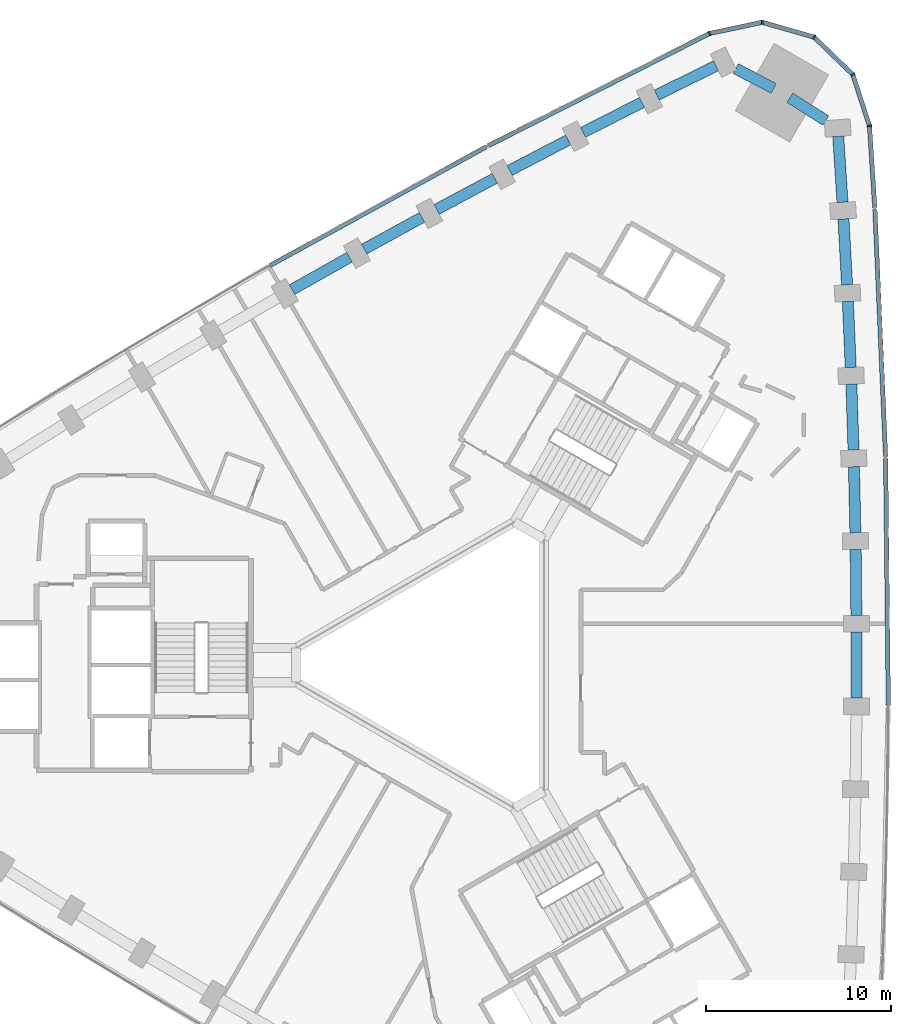
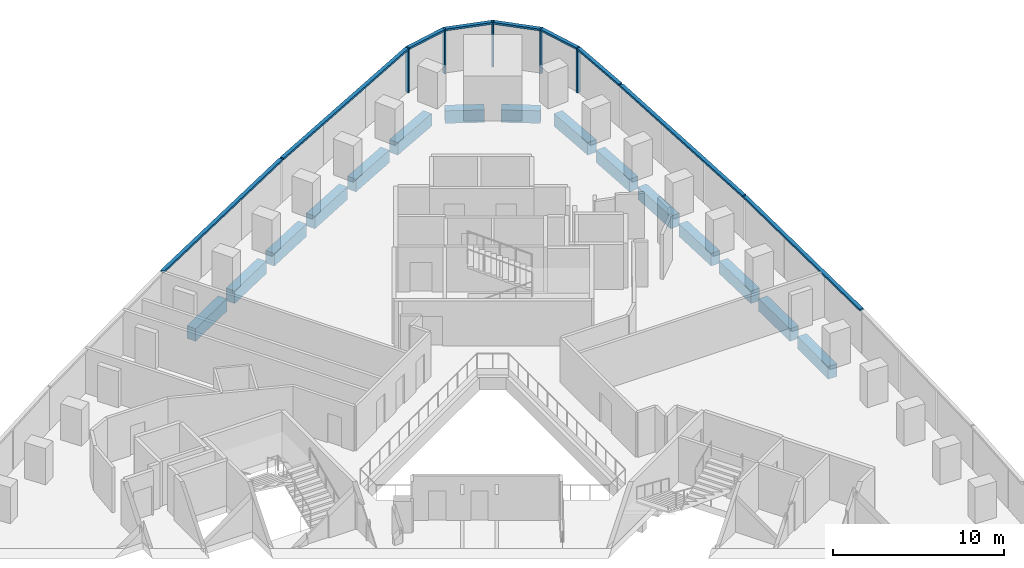
# One storey, part 5 of 12: 15 beams, 14 members, 2 elements without a shape of their own.
"""IFC4 building model written with IfcOpenShell, lengths in metres."""

from ifc_helpers import new_model, si_unit, direction, frame, origin, origin_2d, place, context, subcontext, project, spatial, rectangle, extrude, material, material_profile, profile_set, type_object, element, aggregate, save


model = new_model("IFC4")

# Units and contexts
model_context = context("Model", 3, precision=1e-05, world=origin(), true_north=direction((0.0, 1.0)))
body_context = subcontext(model_context, "Body", "Model", "MODEL_VIEW")
ifc_project = project(units=[si_unit("LENGTHUNIT", "METRE"), si_unit("AREAUNIT", "SQUARE_METRE"), si_unit("VOLUMEUNIT", "CUBIC_METRE"), si_unit("PLANEANGLEUNIT", "RADIAN"), si_unit("MASSUNIT", "GRAM", prefix="KILO")], contexts=[model_context])

# Site, building, storey
site_placement = place(None, origin())
site = spatial("IfcSite", under=ifc_project, at=site_placement, CompositionType="ELEMENT")
building_placement = place(site_placement, origin())
building = spatial("IfcBuilding", under=site, at=building_placement, Name="Tamra Quay Hotel Tower", CompositionType="ELEMENT")
storey_placement = place(building_placement, frame((0.0, 0.0, 71.0)))
storey = spatial("IfcBuildingStorey", under=building, at=storey_placement, Name="L16", CompositionType="ELEMENT", Elevation=71.0)

# Curtain wall, members
ifc_material_1 = material(Name="Aluminium 6063 anodised dark grey", Category="aluminium")
curtain_wall_type_1 = type_object("IfcCurtainWallType", Name="CW1 CURTAIN WALL", PredefinedType="NOTDEFINED", material=ifc_material_1)
curtain_wall_1_placement = place(storey_placement, origin())
curtain_wall_1 = element("IfcCurtainWall", 1, at=curtain_wall_1_placement, inside=storey, type_object=curtain_wall_type_1, Name="CW1 east face L16", PredefinedType="NOTDEFINED")
ifc_material_profile_1 = material_profile(ifc_material_1, rectangle(XDim=0.239990234375, YDim=0.10009765625, at=origin_2d()), Name="MULLION 100X240")
ifc_profile_set_1 = profile_set([ifc_material_profile_1], Name="Aluminium 6063 anodised dark grey")
member_type_1 = type_object("IfcMemberType", Name="MULLION CW1 Z1", PredefinedType="MULLION", material=ifc_profile_set_1)
member_1_placement = place(storey_placement, frame((22.5986328125, 29.154052734375, 0.0), z_axis=(0.0, 0.0, 1.0), x_axis=(0.982094520957, 0.188388831692, 0.0)))
member_1 = element("IfcMember", 2, at=member_1_placement, type_object=member_type_1, Name="CW1 mullion L16.E.14", PredefinedType="MULLION", context=body_context, shape_type="SweptSolid", body=[
    extrude(rectangle(XDim=0.239990234375, YDim=0.10009765625, at=origin_2d()), origin(), (0.0, 0.0, 1.0), 3.199951171875),
])
member_2_placement = place(storey_placement, frame((21.697998046875, 31.926025390625, 0.0), z_axis=(0.0, 0.0, 1.0), x_axis=(0.848039345356, 0.529933268183, 0.0)))
member_2 = element("IfcMember", 3, at=member_2_placement, type_object=member_type_1, Name="CW1 mullion L16.E.15", PredefinedType="MULLION", context=body_context, shape_type="SweptSolid", body=[
    extrude(rectangle(XDim=0.239990234375, YDim=0.10009765625, at=origin_2d()), origin(), (0.0, 0.0, 1.0), 3.199951171875),
])
member_3_placement = place(storey_placement, frame((19.6015625, 33.95068359375, 0.0), z_axis=(0.0, 0.0, 1.0), x_axis=(0.5, 0.866025403784, 0.0)))
member_3 = element("IfcMember", 4, at=member_3_placement, type_object=member_type_1, Name="CW1 mullion L16.E.16", PredefinedType="MULLION", context=body_context, shape_type="SweptSolid", body=[
    extrude(rectangle(XDim=0.239990234375, YDim=0.10009765625, at=origin_2d()), origin(), (0.0, 0.0, 1.0), 3.199951171875),
])
member_4_placement = place(storey_placement, frame((16.7998046875, 34.754150390625, 0.0), z_axis=(0.0, 0.0, 1.0), x_axis=(0.034915999879, 0.999390250579, 0.0)))
member_4 = element("IfcMember", 5, at=member_4_placement, type_object=member_type_1, Name="CW1 mullion L16.E.17", PredefinedType="MULLION", context=body_context, shape_type="SweptSolid", body=[
    extrude(rectangle(XDim=0.239990234375, YDim=0.10009765625, at=origin_2d()), origin(), (0.0, 0.0, 1.0), 3.199951171875),
])

# Curtain wall, member
curtain_wall_type_2 = type_object("IfcCurtainWallType", Name="CW2 CURTAIN WALL", PredefinedType="NOTDEFINED", material=ifc_material_1)
curtain_wall_2_placement = place(storey_placement, origin())
curtain_wall_2 = element("IfcCurtainWall", 6, at=curtain_wall_2_placement, inside=storey, type_object=curtain_wall_type_2, Name="CW2 north-west face L16", PredefinedType="NOTDEFINED")
ifc_material_profile_2 = material_profile(ifc_material_1, rectangle(XDim=0.239990234375, YDim=0.10009765625, at=origin_2d()), Name="MULLION 100X240")
ifc_profile_set_2 = profile_set([ifc_material_profile_2], Name="Aluminium 6063 anodised dark grey")
member_type_2 = type_object("IfcMemberType", Name="MULLION CW2 Z1", PredefinedType="MULLION", material=ifc_profile_set_2)
member_5_placement = place(storey_placement, frame((13.948974609375, 34.148193359375, 0.0), z_axis=(0.0, 0.0, 1.0), x_axis=(-0.327897746444, 0.944713219912, 0.0)))
member_5 = element("IfcMember", 7, at=member_5_placement, type_object=member_type_2, Name="CW2 mullion L16.NW.1", PredefinedType="MULLION", context=body_context, shape_type="SweptSolid", body=[
    extrude(rectangle(XDim=0.239990234375, YDim=0.10009765625, at=origin_2d()), origin(), (0.0, 0.0, 1.0), 3.199951171875),
])

# Beams
ifc_material_2 = material(Name="Concrete M60", Category="concrete")
ifc_material_profile_3 = material_profile(ifc_material_2, rectangle(XDim=0.60009765625, YDim=0.89990234375, at=origin_2d()), Name="SPANDREL BEAM RC 600x900")
ifc_profile_set_3 = profile_set([ifc_material_profile_3], Name="Concrete M60")
beam_type = type_object("IfcBeamType", Name="SPANDREL BEAM RC 600x900", PredefinedType="SPANDREL", material=ifc_profile_set_3)
beam_1_placement = place(storey_placement, frame((21.894287109375, -1.785400390625, -0.925048828125), z_axis=(0.0, 1.0, 0.0), x_axis=(-1.0, 0.0, 0.0)))
element("IfcBeam", 8, at=beam_1_placement, inside=storey, type_object=beam_type, Name="BM-SP1-006-L16", PredefinedType="SPANDREL", context=body_context, shape_type="SweptSolid", body=[
    extrude(rectangle(XDim=0.60009765625, YDim=0.89990234375, at=origin_2d()), origin(), (0.0, 0.0, 1.0), 3.57080078125),
])
beam_2_placement = place(storey_placement, frame((21.889404296875, 2.685302734375, -0.925048828125), z_axis=(-0.010803527021, 0.999941640199, 0.0), x_axis=(-0.999941640199, -0.010803527021, 0.0)))
element("IfcBeam", 9, at=beam_2_placement, inside=storey, type_object=beam_type, Name="BM-SP1-007-L16", PredefinedType="SPANDREL", context=body_context, shape_type="SweptSolid", body=[
    extrude(rectangle(XDim=0.60009765625, YDim=0.89990234375, at=origin_2d()), origin(), (0.0, 0.0, 1.0), 3.570556640625),
])
beam_3_placement = place(storey_placement, frame((21.836181640625, 7.155517578125, -0.925048828125), z_axis=(-0.021679013576, 0.999764982569, 0.0), x_axis=(-0.999764982569, -0.021679013576, 0.0)))
element("IfcBeam", 10, at=beam_3_placement, inside=storey, type_object=beam_type, Name="BM-SP1-008-L16", PredefinedType="SPANDREL", context=body_context, shape_type="SweptSolid", body=[
    extrude(rectangle(XDim=0.60009765625, YDim=0.89990234375, at=origin_2d()), origin(), (0.0, 0.0, 1.0), 3.56982421875),
])
for number, where, z_axis, x_axis, name in (
    (11, (21.734619140625, 11.624267578125, -0.925048828125), (-0.032547568535, 0.999470187541, 0.0), (-0.999470187541, -0.032547568535, 0.0), "BM-SP1-009-L16"),
    (12, (21.58447265625, 16.09228515625, -0.925048828125), (-0.043282922957, 0.99906285517, 0.0), (-0.99906285517, -0.043282922957, 0.0), "BM-SP1-010-L16"),
):
    element("IfcBeam", number, at=place(storey_placement, frame(where, z_axis=z_axis, x_axis=x_axis)), inside=storey, type_object=beam_type, Name=name, PredefinedType="SPANDREL", context=body_context, shape_type="SweptSolid", body=[
        extrude(rectangle(XDim=0.60009765625, YDim=0.89990234375, at=origin_2d()), origin(), (0.0, 0.0, 1.0), 3.570556640625),
    ])
beam_4_placement = place(storey_placement, frame((21.385986328125, 20.558349609375, -0.925048828125), z_axis=(-0.054026860576, 0.998539482613, 0.0), x_axis=(-0.998539482613, -0.054026860576, 0.0)))
element("IfcBeam", 13, at=beam_4_placement, inside=storey, type_object=beam_type, Name="BM-SP1-011-L16", PredefinedType="SPANDREL", context=body_context, shape_type="SweptSolid", body=[
    extrude(rectangle(XDim=0.60009765625, YDim=0.89990234375, at=origin_2d()), origin(), (0.0, 0.0, 1.0), 3.56982421875),
])
beam_5_placement = place(storey_placement, frame((21.139404296875, 25.021484375, -0.925048828125), z_axis=(-0.064749077985, 0.99790157676, 0.0), x_axis=(-0.99790157676, -0.064749077985, 0.0)))
element("IfcBeam", 14, at=beam_5_placement, inside=storey, type_object=beam_type, Name="BM-SP1-012-L16", PredefinedType="SPANDREL", context=body_context, shape_type="SweptSolid", body=[
    extrude(rectangle(XDim=0.60009765625, YDim=0.89990234375, at=origin_2d()), origin(), (0.0, 0.0, 1.0), 3.57080078125),
])
beam_6_placement = place(storey_placement, frame((20.2373046875, 29.440185546875, -0.925048828125), z_axis=(-0.844978382684, 0.53480046073, 0.0), x_axis=(-0.53480046073, -0.844978382684, 0.0)))
element("IfcBeam", 15, at=beam_6_placement, inside=storey, type_object=beam_type, Name="BM-SP1-013-L16", PredefinedType="SPANDREL", context=body_context, shape_type="SweptSolid", body=[
    extrude(rectangle(XDim=0.60009765625, YDim=0.89990234375, at=origin_2d()), origin(), (0.0, 0.0, 1.0), 2.30859375),
])
beam_7_placement = place(storey_placement, frame((17.421630859375, 31.17431640625, -0.925048828125), z_axis=(-0.885674154565, 0.464307324879, 0.0), x_axis=(-0.464307324879, -0.885674154565, 0.0)))
element("IfcBeam", 16, at=beam_7_placement, inside=storey, type_object=beam_type, Name="BM-SP1-014-L16", PredefinedType="SPANDREL", context=body_context, shape_type="SweptSolid", body=[
    extrude(rectangle(XDim=0.60009765625, YDim=0.89990234375, at=origin_2d()), origin(), (0.0, 0.0, 1.0), 2.308349609375),
])
beam_8_placement = place(storey_placement, frame((14.301025390625, 32.3994140625, -0.925048828125), z_axis=(-0.896604328032, -0.442832563113, 0.0), x_axis=(0.442832563113, -0.896604328032, 0.0)))
element("IfcBeam", 17, at=beam_8_placement, inside=storey, type_object=beam_type, Name="BM-SP1-015-L16", PredefinedType="SPANDREL", context=body_context, shape_type="SweptSolid", body=[
    extrude(rectangle(XDim=0.60009765625, YDim=0.89990234375, at=origin_2d()), origin(), (0.0, 0.0, 1.0), 3.57080078125),
])
beam_9_placement = place(storey_placement, frame((10.294677734375, 30.415283203125, -0.925048828125), z_axis=(-0.891785652583, -0.452458119439, 0.0), x_axis=(0.452458119439, -0.891785652583, 0.0)))
element("IfcBeam", 18, at=beam_9_placement, inside=storey, type_object=beam_type, Name="BM-SP1-016-L16", PredefinedType="SPANDREL", context=body_context, shape_type="SweptSolid", body=[
    extrude(rectangle(XDim=0.60009765625, YDim=0.89990234375, at=origin_2d()), origin(), (0.0, 0.0, 1.0), 3.56982421875),
])
beam_10_placement = place(storey_placement, frame((6.310546875, 28.388427734375, -0.925048828125), z_axis=(-0.886863886749, -0.462030785101, 0.0), x_axis=(0.462030785101, -0.886863886749, 0.0)))
element("IfcBeam", 19, at=beam_10_placement, inside=storey, type_object=beam_type, Name="BM-SP1-017-L16", PredefinedType="SPANDREL", context=body_context, shape_type="SweptSolid", body=[
    extrude(rectangle(XDim=0.60009765625, YDim=0.89990234375, at=origin_2d()), origin(), (0.0, 0.0, 1.0), 3.570556640625),
])
beam_11_placement = place(storey_placement, frame((2.34814453125, 26.318603515625, -0.925048828125), z_axis=(-0.881809110934, -0.471606501094, 0.0), x_axis=(0.471606501094, -0.881809110934, 0.0)))
element("IfcBeam", 20, at=beam_11_placement, inside=storey, type_object=beam_type, Name="BM-SP1-018-L16", PredefinedType="SPANDREL", context=body_context, shape_type="SweptSolid", body=[
    extrude(rectangle(XDim=0.60009765625, YDim=0.89990234375, at=origin_2d()), origin(), (0.0, 0.0, 1.0), 3.5703125),
])
beam_12_placement = place(storey_placement, frame((-1.591796875, 24.2060546875, -0.925048828125), z_axis=(-0.876617015828, -0.481188744216, 0.0), x_axis=(0.481188744216, -0.876617015828, 0.0)))
element("IfcBeam", 21, at=beam_12_placement, inside=storey, type_object=beam_type, Name="BM-SP1-019-L16", PredefinedType="SPANDREL", context=body_context, shape_type="SweptSolid", body=[
    extrude(rectangle(XDim=0.60009765625, YDim=0.89990234375, at=origin_2d()), origin(), (0.0, 0.0, 1.0), 3.56982421875),
])
beam_13_placement = place(storey_placement, frame((-5.5078125, 22.051025390625, -0.925048828125), z_axis=(-0.871431243693, -0.49051767299, 0.0), x_axis=(0.49051767299, -0.871431243693, 0.0)))
element("IfcBeam", 22, at=beam_13_placement, inside=storey, type_object=beam_type, Name="BM-SP1-020-L16", PredefinedType="SPANDREL", context=body_context, shape_type="SweptSolid", body=[
    extrude(rectangle(XDim=0.60009765625, YDim=0.89990234375, at=origin_2d()), origin(), (0.0, 0.0, 1.0), 3.570556640625),
])

# Member
ifc_material_profile_4 = material_profile(ifc_material_1, rectangle(XDim=0.239990234375, YDim=0.139892578125, at=origin_2d()), Name="TRANSOM 240X140")
ifc_profile_set_4 = profile_set([ifc_material_profile_4], Name="Aluminium 6063 anodised dark grey")
member_type_3 = type_object("IfcMemberType", Name="TRANSOM CW1 Z1", PredefinedType="USERDEFINED", material=ifc_profile_set_4)
member_6_placement = place(storey_placement, frame((23.618408203125, -2.1943359375, 3.1298828125), z_axis=(-0.010831206208, 0.999941340766, 0.0), x_axis=(-0.999941340766, -0.010831206208, 0.0)))
member_6 = element("IfcMember", 23, at=member_6_placement, type_object=member_type_3, Name="CW1 transom L16.E.7", ObjectType="TRANSOM", PredefinedType="USERDEFINED", context=body_context, shape_type="SweptSolid", body=[
    extrude(rectangle(XDim=0.239990234375, YDim=0.139892578125, at=origin_2d()), origin(), (0.0, 0.0, 1.0), 13.366455078125),
])

member_7_placement = place(storey_placement, frame((23.470703125, 11.271484375, 3.1298828125), z_axis=(-0.043269977555, 0.999063415926, 0.0), x_axis=(-0.999063415926, -0.043269977555, 0.0)))
member_7 = element("IfcMember", 24, at=member_7_placement, type_object=member_type_3, Name="CW1 transom L16.E.10", ObjectType="TRANSOM", PredefinedType="USERDEFINED", context=body_context, shape_type="SweptSolid", body=[
    extrude(rectangle(XDim=0.239990234375, YDim=0.139892578125, at=origin_2d()), origin(), (0.0, 0.0, 1.0), 13.366455078125),
])

member_8_placement = place(storey_placement, frame((22.886474609375, 24.725341796875, 3.1298828125), z_axis=(-0.064816582932, 0.997897194393, 0.0), x_axis=(-0.997897194393, -0.064816582932, 0.0)))
member_8 = element("IfcMember", 25, at=member_8_placement, type_object=member_type_3, Name="CW1 transom L16.E.13", ObjectType="TRANSOM", PredefinedType="USERDEFINED", context=body_context, shape_type="SweptSolid", body=[
    extrude(rectangle(XDim=0.239990234375, YDim=0.139892578125, at=origin_2d()), origin(), (0.0, 0.0, 1.0), 4.38818359375),
])

member_9_placement = place(storey_placement, frame((22.583251953125, 29.20166015625, 3.1298828125), z_axis=(-0.309062535631, 0.951041717839, 0.0), x_axis=(-0.951041717839, -0.309062535631, 0.0)))
member_9 = element("IfcMember", 26, at=member_9_placement, type_object=member_type_3, Name="CW1 transom L16.E.14", ObjectType="TRANSOM", PredefinedType="USERDEFINED", context=body_context, shape_type="SweptSolid", body=[
    extrude(rectangle(XDim=0.239990234375, YDim=0.139892578125, at=origin_2d()), origin(), (0.0, 0.0, 1.0), 2.814453125),
])

member_10_placement = place(storey_placement, frame((21.662109375, 31.960693359375, 3.1298828125), z_axis=(-0.71931626538, 0.694682740796, 0.0), x_axis=(-0.694682740796, -0.71931626538, 0.0)))
member_10 = element("IfcMember", 27, at=member_10_placement, type_object=member_type_3, Name="CW1 transom L16.E.15", ObjectType="TRANSOM", PredefinedType="USERDEFINED", context=body_context, shape_type="SweptSolid", body=[
    extrude(rectangle(XDim=0.239990234375, YDim=0.139892578125, at=origin_2d()), origin(), (0.0, 0.0, 1.0), 2.814697265625),
])

member_11_placement = place(storey_placement, frame((19.553466796875, 33.96435546875, 3.1298828125), z_axis=(-0.961255085045, 0.275660409698, 0.0), x_axis=(-0.275660409698, -0.961255085045, 0.0)))
member_11 = element("IfcMember", 28, at=member_11_placement, type_object=member_type_3, Name="CW1 transom L16.E.16", ObjectType="TRANSOM", PredefinedType="USERDEFINED", context=body_context, shape_type="SweptSolid", body=[
    extrude(rectangle(XDim=0.239990234375, YDim=0.139892578125, at=origin_2d()), origin(), (0.0, 0.0, 1.0), 2.814697265625),
])

member_12_placement = place(storey_placement, frame((16.7509765625, 34.74365234375, 3.1298828125), z_axis=(-0.97816524345, -0.207828671039, 0.0), x_axis=(0.207828671039, -0.97816524345, 0.0)))
member_12 = element("IfcMember", 29, at=member_12_placement, type_object=member_type_3, Name="CW1 transom L16.E.17", ObjectType="TRANSOM", PredefinedType="USERDEFINED", context=body_context, shape_type="SweptSolid", body=[
    extrude(rectangle(XDim=0.239990234375, YDim=0.139892578125, at=origin_2d()), origin(), (0.0, 0.0, 1.0), 2.814697265625),
])

aggregate(curtain_wall_1, [member_6, member_7, member_8, member_1, member_9, member_2, member_10, member_3, member_11, member_4, member_12])

ifc_material_profile_5 = material_profile(ifc_material_1, rectangle(XDim=0.239990234375, YDim=0.139892578125, at=origin_2d()), Name="TRANSOM 240X140")
ifc_profile_set_5 = profile_set([ifc_material_profile_5], Name="Aluminium 6063 anodised dark grey")
member_type_4 = type_object("IfcMemberType", Name="TRANSOM CW2 Z1", PredefinedType="USERDEFINED", material=ifc_profile_set_5)
member_13_placement = place(storey_placement, frame((13.904052734375, 34.1259765625, 3.1298828125), z_axis=(-0.891785159734, -0.452459090834, 0.0), x_axis=(0.452459090834, -0.891785159734, 0.0)))
member_13 = element("IfcMember", 30, at=member_13_placement, type_object=member_type_4, Name="CW2 transom L16.NW.1", ObjectType="TRANSOM", PredefinedType="USERDEFINED", context=body_context, shape_type="SweptSolid", body=[
    extrude(rectangle(XDim=0.239990234375, YDim=0.139892578125, at=origin_2d()), origin(), (0.0, 0.0, 1.0), 13.365966796875),
])

member_14_placement = place(storey_placement, frame((1.89599609375, 28.03173828125, 3.1298828125), z_axis=(-0.876657857412, -0.481114332606, 0.0), x_axis=(0.481114332606, -0.876657857412, 0.0)))
member_14 = element("IfcMember", 31, at=member_14_placement, type_object=member_type_4, Name="CW2 transom L16.NW.4", ObjectType="TRANSOM", PredefinedType="USERDEFINED", context=body_context, shape_type="SweptSolid", body=[
    extrude(rectangle(XDim=0.239990234375, YDim=0.139892578125, at=origin_2d()), origin(), (0.0, 0.0, 1.0), 13.36669921875),
])

aggregate(curtain_wall_2, [member_5, member_13, member_14])

save(model, "model.ifc")
